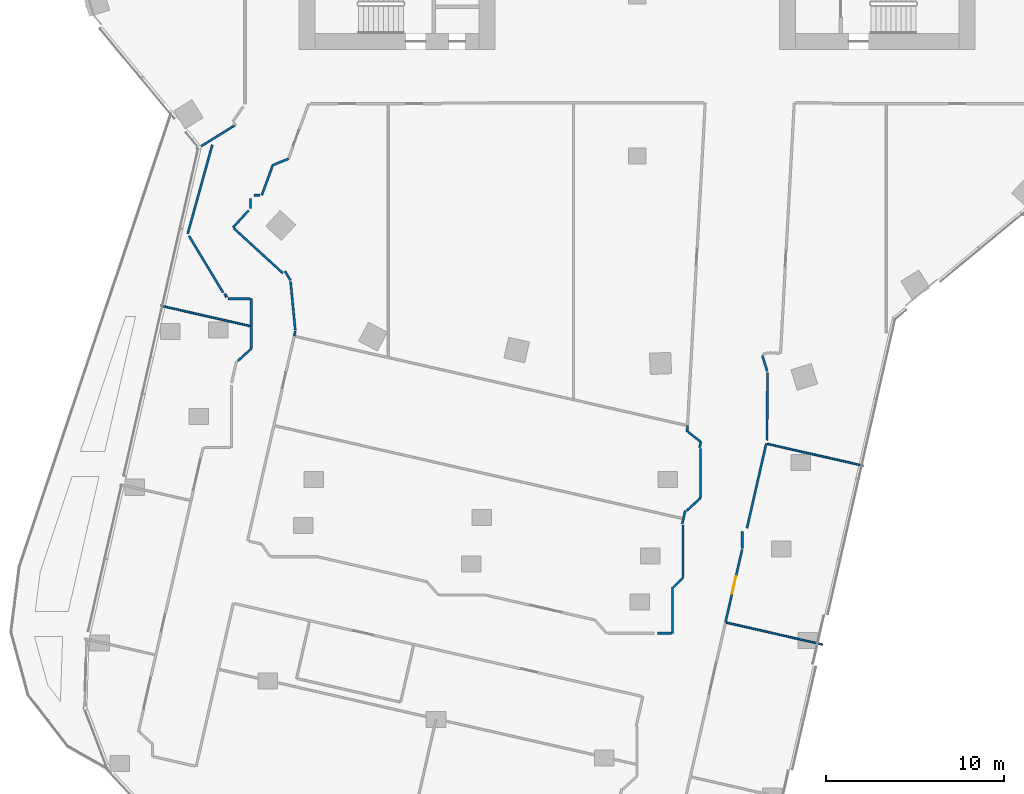
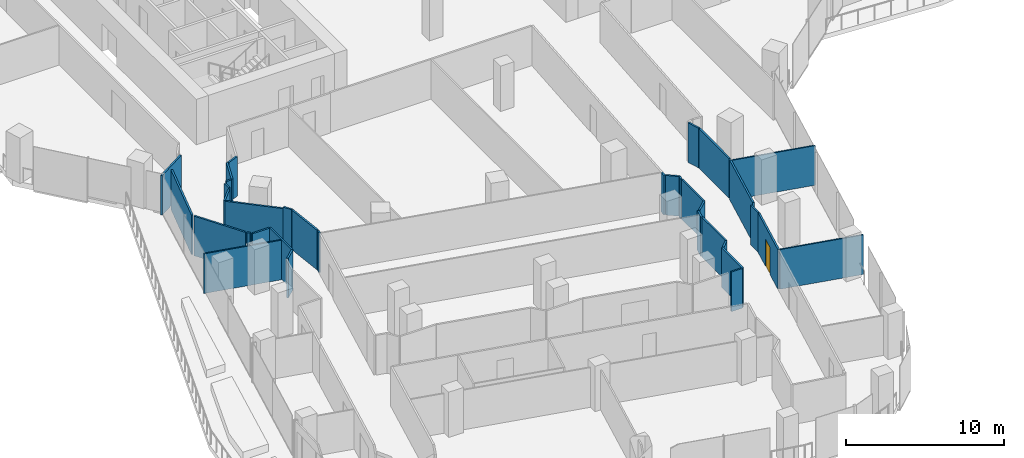
# One storey, part 18 of 28: 34 walls, 1 door, 1 opening.
"""IFC4 building model written with IfcOpenShell, lengths in metres."""

from ifc_helpers import new_model, si_unit, direction, frame, frame_2d, origin, place, context, subcontext, project, spatial, rectangle, extrude, material, layer, layer_set, type_object, element, fill, save


model = new_model("IFC4")

# Units and contexts
model_context = context("Model", 3, precision=1e-05, world=origin(), true_north=direction((0.0, 1.0)))
body_context = subcontext(model_context, "Body", "Model", "MODEL_VIEW")
ifc_project = project(units=[si_unit("LENGTHUNIT", "METRE"), si_unit("AREAUNIT", "SQUARE_METRE"), si_unit("VOLUMEUNIT", "CUBIC_METRE"), si_unit("PLANEANGLEUNIT", "RADIAN"), si_unit("MASSUNIT", "GRAM", prefix="KILO")], contexts=[model_context])

# Site, building, storey
site_placement = place(None, origin())
site = spatial("IfcSite", under=ifc_project, at=site_placement, CompositionType="ELEMENT")
building_placement = place(site_placement, origin())
building = spatial("IfcBuilding", under=site, at=building_placement, Name="Orlundy Tower", CompositionType="ELEMENT")
storey_placement = place(building_placement, frame((0.0, 0.0, 167.10009765625)))
storey = spatial("IfcBuildingStorey", under=building, at=storey_placement, Name="L43", CompositionType="ELEMENT", Elevation=167.10009765625)

# Walls
ifc_material_1 = material(Name="Gypsum board partition")
ifc_layer_1 = layer(ifc_material_1, 0.10009765625)
ifc_layer_set_1 = layer_set([ifc_layer_1], Name="Floor partition 100")
wall_type_1 = type_object("IfcWallType", Name="Floor partition 100", PredefinedType="PARTITIONING", material=ifc_layer_set_1)
wall_1_placement = place(storey_placement, frame((5.02197265625, -44.219970703125, 0.0), z_axis=(0.0, 0.0, 1.0), x_axis=(0.975012198948, -0.222151326582, 0.0)))
element("IfcWall", 1, at=wall_1_placement, inside=storey, type_object=wall_type_1, Name="wall-int-L43-021", PredefinedType="PARTITIONING", context=body_context, shape_type="SweptSolid", body=[
    extrude(rectangle(XDim=5.5322265625, YDim=0.10009765625, at=frame_2d((2.76611328125, 0.0))), origin(), (0.0, 0.0, 1.0), 3.059814453125),
])
wall_2_placement = place(storey_placement, frame((-26.783935546875, -26.404052734375, 0.0), z_axis=(0.0, 0.0, 1.0), x_axis=(0.975025922796, -0.22209108464, 0.0)))
element("IfcWall", 2, at=wall_2_placement, inside=storey, type_object=wall_type_1, Name="wall-int-L43-023", PredefinedType="PARTITIONING", context=body_context, shape_type="SweptSolid", body=[
    extrude(rectangle(XDim=5.141357421875, YDim=0.10009765625, at=frame_2d((2.57080078125, 0.0))), origin(), (0.0, 0.0, 1.0), 3.059814453125),
])
wall_3_placement = place(storey_placement, frame((7.31201171875, -34.1708984375, 0.0), z_axis=(0.0, 0.0, 1.0), x_axis=(0.975003485187, -0.222189567426, 0.0)))
element("IfcWall", 3, at=wall_3_placement, inside=storey, type_object=wall_type_1, Name="wall-int-L43-025", PredefinedType="PARTITIONING", context=body_context, shape_type="SweptSolid", body=[
    extrude(rectangle(XDim=5.53125, YDim=0.10009765625, at=frame_2d((2.765625, 0.0))), origin(), (0.0, 0.0, 1.0), 3.059814453125),
])
ifc_material_2 = material(Name="Gypsum board partition, double layer")
ifc_layer_2 = layer(ifc_material_2, 0.125)
ifc_layer_set_2 = layer_set([ifc_layer_2], Name="Floor partition 125")
wall_type_2 = type_object("IfcWallType", Name="Floor partition 125", PredefinedType="PARTITIONING", material=ifc_layer_set_2)
wall_4_placement = place(storey_placement, frame((-19.488037109375, -25.0400390625, 0.0), z_axis=(0.0, 0.0, 1.0), x_axis=(0.096768426033, -0.995306923377, 0.0)))
element("IfcWall", 4, at=wall_4_placement, inside=storey, type_object=wall_type_2, Name="wall-int-L43-002", PredefinedType="PARTITIONING", context=body_context, shape_type="SweptSolid", body=[
    extrude(rectangle(XDim=2.739990234375, YDim=0.125, at=frame_2d((1.3701171875, 0.0))), origin(), (0.0, 0.0, 1.0), 3.059814453125),
])
wall_5_placement = place(storey_placement, frame((7.033935546875, -29.2109375, 0.0), z_axis=(0.0, 0.0, 1.0), x_axis=(0.29681821376, -0.954934001898, 0.0)))
element("IfcWall", 5, at=wall_5_placement, inside=storey, type_object=wall_type_2, Name="wall-int-L43-003", PredefinedType="PARTITIONING", context=body_context, shape_type="SweptSolid", body=[
    extrude(rectangle(XDim=0.916259765625, YDim=0.125, at=frame_2d((0.4580078125, 0.0))), origin(), (0.0, 0.0, 1.0), 3.059814453125),
])
wall_6_placement = place(storey_placement, frame((-25.194091796875, -22.48193359375, 0.0), z_axis=(0.0, 0.0, 1.0), x_axis=(0.514871972741, -0.857267083053, 0.0)))
element("IfcWall", 6, at=wall_6_placement, inside=storey, type_object=wall_type_2, Name="wall-int-L43-004", PredefinedType="PARTITIONING", context=body_context, shape_type="SweptSolid", body=[
    extrude(rectangle(XDim=3.721435546875, YDim=0.125, at=frame_2d((1.86083984375, 0.0))), origin(), (0.0, 0.0, 1.0), 3.059814453125),
])
wall_7_placement = place(storey_placement, frame((-19.81005859375, -24.452880859375, 0.0), z_axis=(0.0, 0.0, 1.0), x_axis=(0.515783755321, -0.856718809031, 0.0)))
element("IfcWall", 7, at=wall_7_placement, inside=storey, type_object=wall_type_2, Name="wall-int-L43-005", PredefinedType="PARTITIONING", context=body_context, shape_type="SweptSolid", body=[
    extrude(rectangle(XDim=0.613037109375, YDim=0.125, at=frame_2d((0.306640625, 0.0))), origin(), (0.0, 0.0, 1.0), 3.059814453125),
])
wall_8_placement = place(storey_placement, frame((-23.196044921875, -25.739990234375, 0.0), z_axis=(0.0, 0.0, 1.0), x_axis=(0.562669402068, -0.826682008983, 0.0)))
element("IfcWall", 8, at=wall_8_placement, inside=storey, type_object=wall_type_2, Name="wall-int-L43-007", PredefinedType="PARTITIONING", context=body_context, shape_type="SweptSolid", body=[
    extrude(rectangle(XDim=0.204345703125, YDim=0.125, at=frame_2d((0.10205078125, 0.0))), origin(), (0.0, 0.0, 1.0), 3.059814453125),
])
wall_9_placement = place(storey_placement, frame((-22.677978515625, -22.051025390625, 0.0), z_axis=(0.0, 0.0, 1.0), x_axis=(0.737457793855, -0.675393220489, 0.0)))
element("IfcWall", 9, at=wall_9_placement, inside=storey, type_object=wall_type_2, Name="wall-int-L43-008", PredefinedType="PARTITIONING", context=body_context, shape_type="SweptSolid", body=[
    extrude(rectangle(XDim=3.737060546875, YDim=0.125, at=frame_2d((1.86865234375, 0.0))), origin(), (0.0, 0.0, 1.0), 3.059814453125),
])
wall_10_placement = place(storey_placement, frame((-20.404052734375, -18.467041015625, 0.0), z_axis=(0.0, 0.0, 1.0), x_axis=(0.927827745757, 0.373008946546, 0.0)))
element("IfcWall", 10, at=wall_10_placement, inside=storey, type_object=wall_type_2, Name="wall-int-L43-009", PredefinedType="PARTITIONING", context=body_context, shape_type="SweptSolid", body=[
    extrude(rectangle(XDim=0.858154296875, YDim=0.125, at=frame_2d((0.42919921875, 0.0))), origin(), (0.0, 0.0, 1.0), 3.059814453125),
])
wall_11_placement = place(storey_placement, frame((2.868896484375, -33.508056640625, 0.0), z_axis=(0.0, 0.0, 1.0), x_axis=(0.787979198173, -0.615701862306, 0.0)))
element("IfcWall", 11, at=wall_11_placement, inside=storey, type_object=wall_type_2, Name="wall-int-L43-027", PredefinedType="PARTITIONING", context=body_context, shape_type="SweptSolid", body=[
    extrude(rectangle(XDim=0.9013671875, YDim=0.125, at=frame_2d((0.45068359375, 0.0))), origin(), (0.0, 0.0, 1.0), 3.059814453125),
])
wall_12_placement = place(storey_placement, frame((1.1279296875, -44.822021484375, 0.0), z_axis=(0.0, 0.0, 1.0), x_axis=(1.0, 0.0, 0.0)))
element("IfcWall", 12, at=wall_12_placement, inside=storey, type_object=wall_type_2, Name="wall-int-L43-031", PredefinedType="PARTITIONING", context=body_context, shape_type="SweptSolid", body=[
    extrude(rectangle(XDim=0.795166015625, YDim=0.125, at=frame_2d((0.3974609375, 0.0))), origin(), (0.0, 0.0, 1.0), 3.059814453125),
])
wall_13_placement = place(storey_placement, frame((2.048095703125, -42.221923828125, 0.0), z_axis=(0.0, 0.0, 1.0), x_axis=(0.707758792556, 0.706454168053, 0.0)))
element("IfcWall", 13, at=wall_13_placement, inside=storey, type_object=wall_type_2, Name="wall-int-L43-033", PredefinedType="PARTITIONING", context=body_context, shape_type="SweptSolid", body=[
    extrude(rectangle(XDim=0.74853515625, YDim=0.125, at=frame_2d((0.374267578125, 0.0))), origin(), (0.0, 0.0, 1.0), 3.059814453125),
])
wall_14_placement = place(storey_placement, frame((2.77587890625, -37.931884765625, 0.0), z_axis=(0.0, 0.0, 1.0), x_axis=(0.736321314263, 0.676632043404, 0.0)))
element("IfcWall", 14, at=wall_14_placement, inside=storey, type_object=wall_type_2, Name="wall-int-L43-035", PredefinedType="PARTITIONING", context=body_context, shape_type="SweptSolid", body=[
    extrude(rectangle(XDim=1.059326171875, YDim=0.125, at=frame_2d((0.52978515625, 0.0))), origin(), (0.0, 0.0, 1.0), 3.059814453125),
])
wall_15_placement = place(storey_placement, frame((-22.447021484375, -29.507080078125, 0.0), z_axis=(0.0, 0.0, 1.0), x_axis=(0.737393225099, 0.67546371596, 0.0)))
element("IfcWall", 15, at=wall_15_placement, inside=storey, type_object=wall_type_2, Name="wall-int-L43-037", PredefinedType="PARTITIONING", context=body_context, shape_type="SweptSolid", body=[
    extrude(rectangle(XDim=1.01708984375, YDim=0.125, at=frame_2d((0.508544921875, 0.0))), origin(), (0.0, 0.0, 1.0), 3.059814453125),
])
wall_16_placement = place(storey_placement, frame((-23.013916015625, -26.007080078125, 0.0), z_axis=(0.0, 0.0, 1.0), x_axis=(1.0, 0.0, 0.0)))
element("IfcWall", 16, at=wall_16_placement, inside=storey, type_object=wall_type_2, Name="wall-int-L43-038", PredefinedType="PARTITIONING", context=body_context, shape_type="SweptSolid", body=[
    extrude(rectangle(XDim=1.2548828125, YDim=0.125, at=frame_2d((0.62744140625, 0.0))), origin(), (0.0, 0.0, 1.0), 3.059814453125),
])
wall_17_placement = place(storey_placement, frame((-21.548095703125, -20.18798828125, 0.0), z_axis=(0.0, 0.0, 1.0), x_axis=(1.0, 0.0, 0.0)))
element("IfcWall", 17, at=wall_17_placement, inside=storey, type_object=wall_type_2, Name="wall-int-L43-039", PredefinedType="PARTITIONING", context=body_context, shape_type="SweptSolid", body=[
    extrude(rectangle(XDim=0.35400390625, YDim=0.125, at=frame_2d((0.177001953125, 0.0))), origin(), (0.0, 0.0, 1.0), 3.059814453125),
])
wall_18_placement = place(storey_placement, frame((-24.779052734375, -17.60302734375, 0.0), z_axis=(0.0, 0.0, 1.0), x_axis=(0.849651970117, 0.527343843878, 0.0)))
element("IfcWall", 18, at=wall_18_placement, inside=storey, type_object=wall_type_2, Name="wall-int-L43-052", PredefinedType="PARTITIONING", context=body_context, shape_type="SweptSolid", body=[
    extrude(rectangle(XDim=2.556396484375, YDim=0.125, at=frame_2d((1.2783203125, 0.0))), origin(), (0.0, 0.0, 1.0), 3.059814453125),
])
wall_19_placement = place(storey_placement, frame((-22.72412109375, -22.009033203125, 0.0), z_axis=(0.0, 0.0, 1.0), x_axis=(0.675384834857, 0.737465473663, 0.0)))
element("IfcWall", 19, at=wall_19_placement, inside=storey, type_object=wall_type_2, Name="wall-int-L43-053", PredefinedType="PARTITIONING", context=body_context, shape_type="SweptSolid", body=[
    extrude(rectangle(XDim=1.3017578125, YDim=0.125, at=frame_2d((0.65087890625, 0.0))), origin(), (0.0, 0.0, 1.0), 3.059814453125),
])
wall_20_placement = place(storey_placement, frame((-21.10400390625, -20.18798828125, 0.0), z_axis=(0.0, 0.0, 1.0), x_axis=(0.345224027465, 0.938520309243, 0.0)))
element("IfcWall", 20, at=wall_20_placement, inside=storey, type_object=wall_type_2, Name="wall-int-L43-056", PredefinedType="PARTITIONING", context=body_context, shape_type="SweptSolid", body=[
    extrude(rectangle(XDim=1.857177734375, YDim=0.125, at=frame_2d((0.9287109375, 0.0))), origin(), (0.0, 0.0, 1.0), 3.059814453125),
])
wall_21_placement = place(storey_placement, frame((-23.885986328125, -17.35693359375, 0.0), z_axis=(0.0, 0.0, 1.0), x_axis=(-0.266648384372, -0.963793877918, 0.0)))
element("IfcWall", 21, at=wall_21_placement, inside=storey, type_object=wall_type_2, Name="wall-int-L43-057", PredefinedType="PARTITIONING", context=body_context, shape_type="SweptSolid", body=[
    extrude(rectangle(XDim=5.186767578125, YDim=0.125, at=frame_2d((2.59326171875, 0.0))), origin(), (0.0, 0.0, 1.0), 3.059814453125),
])
wall_22_placement = place(storey_placement, frame((2.531982421875, -38.660888671875, 0.0), z_axis=(0.0, 0.0, 1.0), x_axis=(0.222398515533, 0.974955845302, 0.0)))
element("IfcWall", 22, at=wall_22_placement, inside=storey, type_object=wall_type_2, Name="wall-int-L43-058", PredefinedType="PARTITIONING", context=body_context, shape_type="SweptSolid", body=[
    extrude(rectangle(XDim=0.74658203125, YDim=0.125, at=frame_2d((0.373291015625, 0.0))), origin(), (0.0, 0.0, 1.0), 3.059814453125),
])
wall_23_placement = place(storey_placement, frame((-19.281982421875, -28.113037109375, 0.0), z_axis=(0.0, 0.0, 1.0), x_axis=(0.222961356433, 0.974827283952, 0.0)))
element("IfcWall", 23, at=wall_23_placement, inside=storey, type_object=wall_type_2, Name="wall-int-L43-059", PredefinedType="PARTITIONING", context=body_context, shape_type="SweptSolid", body=[
    extrude(rectangle(XDim=0.291259765625, YDim=0.125, at=frame_2d((0.1455078125, 0.0))), origin(), (0.0, 0.0, 1.0), 3.059814453125),
])

# Wall, opening, door
wall_24_placement = place(storey_placement, frame((5.89501953125, -40.110107421875, 0.0), z_axis=(0.0, 0.0, 1.0), x_axis=(-0.22234192338, -0.974968752888, 0.0)))
wall_24 = element("IfcWall", 24, at=wall_24_placement, inside=storey, type_object=wall_type_2, Name="wall-int-L43-060", PredefinedType="PARTITIONING", context=body_context, shape_type="SweptSolid", body=[
    extrude(rectangle(XDim=4.201171875, YDim=0.125, at=frame_2d((2.1005859375, 0.0))), origin(), (0.0, 0.0, 1.0), 3.059814453125),
])
opening_placement = place(wall_24_placement, frame((1.53759765625, 0.0, 0.0)))
opening = element("IfcOpeningElement", 25, at=opening_placement, cuts=wall_24, Name="Opening 34100", PredefinedType="OPENING", context=body_context, shape_type="SweptSolid", body=[
    extrude(rectangle(XDim=1.0, YDim=2.10009765625, at=frame_2d((0.5, 1.050048828125))), frame((0.0, 0.072509765625, 0.0), z_axis=(0.0, -1.0, 0.0), x_axis=(1.0, 0.0, 0.0)), (0.0, 0.0, 1.0), 0.14501953125),
])
ifc_material_3 = material(Name="Timber door leaf", Category="wood")
door_type = type_object("IfcDoorType", Name="Floor door wide 1000 FD30S", OperationType="NOTDEFINED", PredefinedType="DOOR", material=ifc_material_3)
door_placement = place(opening_placement, origin())
door = element("IfcDoor", 26, at=door_placement, inside=storey, type_object=door_type, Name="Door 34100", OperationType="SINGLE_SWING_LEFT", OverallHeight=2.10009765625, OverallWidth=1.0, PredefinedType="DOOR", context=body_context, shape_type="SweptSolid", body=[
    extrude(rectangle(XDim=1.0, YDim=2.10009765625, at=frame_2d((0.5, 1.050048828125))), frame((0.0, 0.02490234375, 0.0), z_axis=(0.0, -1.0, 0.0), x_axis=(1.0, 0.0, 0.0)), (0.0, 0.0, 1.0), 0.050048828125),
])
fill(opening, door)

# Walls
wall_25_placement = place(storey_placement, frame((7.2509765625, -34.156982421875, 0.0), z_axis=(0.0, 0.0, 1.0), x_axis=(-0.222123179998, -0.97501861157, 0.0)))
element("IfcWall", 27, at=wall_25_placement, inside=storey, type_object=wall_type_2, Name="wall-int-L43-062", PredefinedType="PARTITIONING", context=body_context, shape_type="SweptSolid", body=[
    extrude(rectangle(XDim=4.875732421875, YDim=0.125, at=frame_2d((2.43798828125, 0.0))), origin(), (0.0, 0.0, 1.0), 3.059814453125),
])
wall_26_placement = place(storey_placement, frame((3.509033203125, -34.3720703125, 0.0), z_axis=(0.0, 0.0, 1.0), x_axis=(0.221088338472, 0.975253785736, 0.0)))
element("IfcWall", 28, at=wall_26_placement, inside=storey, type_object=wall_type_2, Name="wall-int-L43-064", PredefinedType="PARTITIONING", context=body_context, shape_type="SweptSolid", body=[
    extrude(rectangle(XDim=0.31689453125, YDim=0.125, at=frame_2d((0.158447265625, 0.0))), origin(), (0.0, 0.0, 1.0), 3.059814453125),
])
wall_27_placement = place(storey_placement, frame((2.806884765625, -33.50390625, 0.0), z_axis=(0.0, 0.0, 1.0), x_axis=(0.053568093203, 0.998564198933, 0.0)))
element("IfcWall", 29, at=wall_27_placement, inside=storey, type_object=wall_type_2, Name="wall-int-L43-078", PredefinedType="PARTITIONING", context=body_context, shape_type="SweptSolid", body=[
    extrude(rectangle(XDim=0.35546875, YDim=0.125, at=frame_2d((0.177734375, 0.0))), origin(), (0.0, 0.0, 1.0), 3.059814453125),
])
wall_28_placement = place(storey_placement, frame((7.2939453125, -33.967041015625, 0.0), z_axis=(0.0, 0.0, 1.0), x_axis=(0.00785868007, 0.999969120097, 0.0)))
element("IfcWall", 30, at=wall_28_placement, inside=storey, type_object=wall_type_2, Name="wall-int-L43-079", PredefinedType="PARTITIONING", context=body_context, shape_type="SweptSolid", body=[
    extrude(rectangle(XDim=3.821044921875, YDim=0.125, at=frame_2d((1.91064453125, 0.0))), origin(), (0.0, 0.0, 1.0), 3.059814453125),
])
wall_29_placement = place(storey_placement, frame((5.908935546875, -40.049072265625, 0.0), z_axis=(0.0, 0.0, 1.0), x_axis=(0.0, 1.0, 0.0)))
element("IfcWall", 31, at=wall_29_placement, inside=storey, type_object=wall_type_2, Name="wall-int-L43-083", PredefinedType="PARTITIONING", context=body_context, shape_type="SweptSolid", body=[
    extrude(rectangle(XDim=0.948974609375, YDim=0.125, at=frame_2d((0.474609375, 0.0))), origin(), (0.0, 0.0, 1.0), 3.059814453125),
])
wall_30_placement = place(storey_placement, frame((3.555908203125, -37.215087890625, 0.0), z_axis=(0.0, 0.0, 1.0), x_axis=(0.0, 1.0, 0.0)))
element("IfcWall", 32, at=wall_30_placement, inside=storey, type_object=wall_type_2, Name="wall-int-L43-084", PredefinedType="PARTITIONING", context=body_context, shape_type="SweptSolid", body=[
    extrude(rectangle(XDim=2.781982421875, YDim=0.125, at=frame_2d((1.39111328125, 0.0))), origin(), (0.0, 0.0, 1.0), 3.059814453125),
])
wall_31_placement = place(storey_placement, frame((2.577880859375, -41.693115234375, 0.0), z_axis=(0.0, 0.0, 1.0), x_axis=(0.0, 1.0, 0.0)))
element("IfcWall", 33, at=wall_31_placement, inside=storey, type_object=wall_type_2, Name="wall-int-L43-085", PredefinedType="PARTITIONING", context=body_context, shape_type="SweptSolid", body=[
    extrude(rectangle(XDim=2.97021484375, YDim=0.125, at=frame_2d((1.485107421875, 0.0))), origin(), (0.0, 0.0, 1.0), 3.059814453125),
])
wall_32_placement = place(storey_placement, frame((1.986083984375, -44.822021484375, 0.0), z_axis=(0.0, 0.0, 1.0), x_axis=(0.0, 1.0, 0.0)))
element("IfcWall", 34, at=wall_32_placement, inside=storey, type_object=wall_type_2, Name="wall-int-L43-086", PredefinedType="PARTITIONING", context=body_context, shape_type="SweptSolid", body=[
    extrude(rectangle(XDim=2.60009765625, YDim=0.125, at=frame_2d((1.300048828125, 0.0))), origin(), (0.0, 0.0, 1.0), 3.059814453125),
])
wall_33_placement = place(storey_placement, frame((-21.697021484375, -28.820068359375, 0.0), z_axis=(0.0, 0.0, 1.0), x_axis=(0.0, 1.0, 0.0)))
element("IfcWall", 35, at=wall_33_placement, inside=storey, type_object=wall_type_2, Name="wall-int-L43-095", PredefinedType="PARTITIONING", context=body_context, shape_type="SweptSolid", body=[
    extrude(rectangle(XDim=2.81298828125, YDim=0.125, at=frame_2d((1.406494140625, 0.0))), origin(), (0.0, 0.0, 1.0), 3.059814453125),
])
wall_34_placement = place(storey_placement, frame((-21.736083984375, -20.930908203125, 0.0), z_axis=(0.0, 0.0, 1.0), x_axis=(0.0, 1.0, 0.0)))
element("IfcWall", 36, at=wall_34_placement, inside=storey, type_object=wall_type_2, Name="wall-int-L43-096", PredefinedType="PARTITIONING", context=body_context, shape_type="SweptSolid", body=[
    extrude(rectangle(XDim=0.553955078125, YDim=0.125, at=frame_2d((0.27685546875, 0.0))), origin(), (0.0, 0.0, 1.0), 3.059814453125),
])

save(model, "model.ifc")
